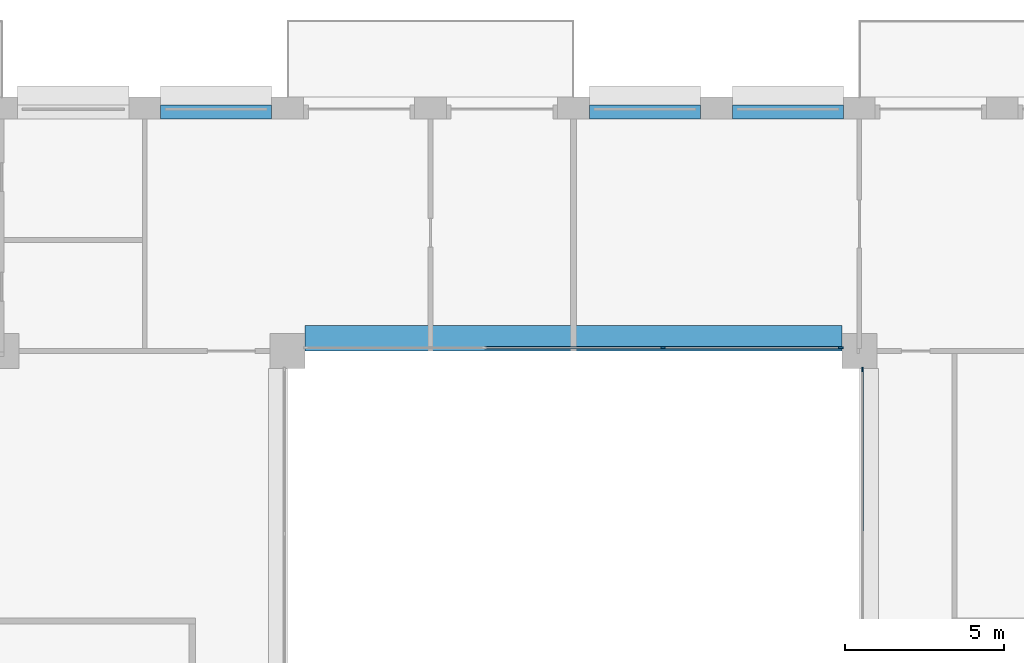
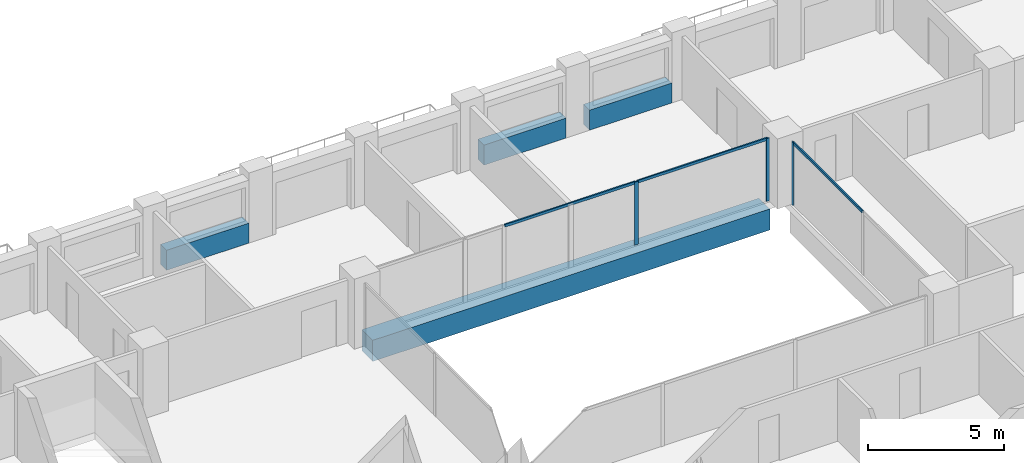
# One storey, part 6 of 15: 6 members, 4 beams, 2 elements without a shape of their own.
"""IFC4 building model written with IfcOpenShell, lengths in metres."""

from ifc_helpers import new_model, si_unit, direction, frame, origin, origin_2d, place, context, subcontext, project, spatial, rectangle, extrude, material, layer, layer_set, material_profile, profile_set, type_object, element, aggregate, save


model = new_model("IFC4")

# Units and contexts
model_context = context("Model", 3, precision=1e-05, world=origin(), true_north=direction((0.0, 1.0)))
body_context = subcontext(model_context, "Body", "Model", "MODEL_VIEW")
ifc_project = project(units=[si_unit("LENGTHUNIT", "METRE"), si_unit("AREAUNIT", "SQUARE_METRE"), si_unit("VOLUMEUNIT", "CUBIC_METRE"), si_unit("PLANEANGLEUNIT", "RADIAN"), si_unit("MASSUNIT", "GRAM", prefix="KILO")], contexts=[model_context])

# Site, building, storey
site_placement = place(None, origin())
site = spatial("IfcSite", under=ifc_project, at=site_placement, CompositionType="ELEMENT")
building_placement = place(site_placement, origin())
building = spatial("IfcBuilding", under=site, at=building_placement, Name="Brigalow Station Residences", CompositionType="ELEMENT")
storey_placement = place(building_placement, frame((0.0, 0.0, 147.60009765625)))
storey = spatial("IfcBuildingStorey", under=building, at=storey_placement, Name="L42", CompositionType="ELEMENT", Elevation=147.60009765625)

# Beam
ifc_material_1 = material(Name="Concrete C65", Category="concrete")
ifc_material_profile_1 = material_profile(ifc_material_1, rectangle(XDim=0.800048828125, YDim=0.949951171875, at=origin_2d()), Name="RC800x950")
ifc_profile_set_1 = profile_set([ifc_material_profile_1], Name="Concrete C65")
beam_type_1 = type_object("IfcBeamType", Name="ATRIUM EDGE GIRDER OVER 13.5 M SPAN 800x950 C65", PredefinedType="BEAM", material=ifc_profile_set_1)
beam_placement = place(storey_placement, frame((27.550048828125, 35.89990234375, -0.795166015625), z_axis=(1.0, 0.0, 0.0), x_axis=(0.0, 1.0, 0.0)))
element("IfcBeam", 1, at=beam_placement, inside=storey, type_object=beam_type_1, Name="ATRIUM EDGE GIRDER D L42", PredefinedType="BEAM", context=body_context, shape_type="SweptSolid", body=[
    extrude(rectangle(XDim=0.800048828125, YDim=0.949951171875, at=origin_2d()), origin(), (0.0, 0.0, 1.0), 16.89990234375),
])

# Curtain wall, member
ifc_material_2 = material(Name="Aluminium", Category="aluminium")
ifc_layer = layer(ifc_material_2, 0.14990234375)
ifc_layer_set = layer_set([ifc_layer], Name="ATRIUM FIRE-RATED GLAZING CURTAIN WALL")
curtain_wall_type = type_object("IfcCurtainWallType", Name="ATRIUM FIRE-RATED GLAZING CURTAIN WALL", PredefinedType="NOTDEFINED", material=ifc_layer_set)
curtain_wall_1_placement = place(storey_placement, origin())
curtain_wall_1 = element("IfcCurtainWall", 2, at=curtain_wall_1_placement, inside=storey, type_object=curtain_wall_type, Name="L42/cw/atrium-E", PredefinedType="NOTDEFINED")
ifc_material_3 = material(Name="Aluminium", Category="aluminium")
ifc_material_profile_2 = material_profile(ifc_material_3, rectangle(XDim=0.06005859375, YDim=0.14990234375, at=origin_2d()), Name="ATRIUM FIRE-RATED GLAZING MULLION 60x150")
ifc_profile_set_2 = profile_set([ifc_material_profile_2], Name="Aluminium")
member_type_1 = type_object("IfcMemberType", Name="ATRIUM FIRE-RATED GLAZING MULLION 60x150", PredefinedType="MULLION", material=ifc_profile_set_2)
member_1_placement = place(storey_placement, frame((45.10009765625, 34.919921875, 0.0), z_axis=(0.0, 0.0, 1.0), x_axis=(-1.0, 0.0, 0.0)))
member_1 = element("IfcMember", 3, at=member_1_placement, type_object=member_type_1, Name="L42/cw/atrium-E/M02", PredefinedType="MULLION", context=body_context, shape_type="SweptSolid", body=[
    extrude(rectangle(XDim=0.06005859375, YDim=0.14990234375, at=origin_2d()), origin(), (0.0, 0.0, 1.0), 2.829833984375),
])

# Curtain wall, members
curtain_wall_2_placement = place(storey_placement, origin())
curtain_wall_2 = element("IfcCurtainWall", 4, at=curtain_wall_2_placement, inside=storey, type_object=curtain_wall_type, Name="L42/cw/atrium-N", PredefinedType="NOTDEFINED")
member_2_placement = place(storey_placement, frame((44.419921875, 35.60009765625, 0.0), z_axis=(0.0, 0.0, 1.0), x_axis=(0.0, -1.0, 0.0)))
member_2 = element("IfcMember", 5, at=member_2_placement, type_object=member_type_1, Name="L42/cw/atrium-N/M00", PredefinedType="MULLION", context=body_context, shape_type="SweptSolid", body=[
    extrude(rectangle(XDim=0.06005859375, YDim=0.14990234375, at=origin_2d()), origin(), (0.0, 0.0, 1.0), 2.829833984375),
])
member_3_placement = place(storey_placement, frame((38.816650390625, 35.60009765625, 0.0), z_axis=(0.0, 0.0, 1.0), x_axis=(0.0, -1.0, 0.0)))
member_3 = element("IfcMember", 6, at=member_3_placement, type_object=member_type_1, Name="L42/cw/atrium-N/M01", PredefinedType="MULLION", context=body_context, shape_type="SweptSolid", body=[
    extrude(rectangle(XDim=0.06005859375, YDim=0.14990234375, at=origin_2d()), origin(), (0.0, 0.0, 1.0), 2.829833984375),
])

# Member
ifc_material_4 = material(Name="Aluminium", Category="aluminium")
ifc_material_profile_3 = material_profile(ifc_material_4, rectangle(XDim=0.06005859375, YDim=0.1201171875, at=origin_2d()), Name="ATRIUM FIRE-RATED GLAZING TRANSOM 60x120")
ifc_profile_set_3 = profile_set([ifc_material_profile_3], Name="Aluminium")
member_type_2 = type_object("IfcMemberType", Name="ATRIUM FIRE-RATED GLAZING TRANSOM 60x120", PredefinedType="USERDEFINED", material=ifc_profile_set_3)
member_4_placement = place(storey_placement, frame((45.10009765625, 29.780029296875, 2.7998046875), z_axis=(0.0, 1.0, 0.0), x_axis=(-1.0, 0.0, 0.0)))
member_4 = element("IfcMember", 7, at=member_4_placement, type_object=member_type_2, Name="L42/cw/atrium-E/T01-00", ObjectType="TRANSOM", PredefinedType="USERDEFINED", context=body_context, shape_type="SweptSolid", body=[
    extrude(rectangle(XDim=0.06005859375, YDim=0.1201171875, at=origin_2d()), origin(), (0.0, 0.0, 1.0), 5.10986328125),
])

aggregate(curtain_wall_1, [member_1, member_4])

member_5_placement = place(storey_placement, frame((44.389892578125, 35.60009765625, 2.7998046875), z_axis=(-1.0, 0.0, 0.0), x_axis=(0.0, -1.0, 0.0)))
member_5 = element("IfcMember", 8, at=member_5_placement, type_object=member_type_2, Name="L42/cw/atrium-N/T00-00", ObjectType="TRANSOM", PredefinedType="USERDEFINED", context=body_context, shape_type="SweptSolid", body=[
    extrude(rectangle(XDim=0.06005859375, YDim=0.1201171875, at=origin_2d()), origin(), (0.0, 0.0, 1.0), 5.543212890625),
])

member_6_placement = place(storey_placement, frame((38.78662109375, 35.60009765625, 2.7998046875), z_axis=(-1.0, 0.0, 0.0), x_axis=(0.0, -1.0, 0.0)))
member_6 = element("IfcMember", 9, at=member_6_placement, type_object=member_type_2, Name="L42/cw/atrium-N/T01-00", ObjectType="TRANSOM", PredefinedType="USERDEFINED", context=body_context, shape_type="SweptSolid", body=[
    extrude(rectangle(XDim=0.06005859375, YDim=0.1201171875, at=origin_2d()), origin(), (0.0, 0.0, 1.0), 5.5732421875),
])

aggregate(curtain_wall_2, [member_2, member_3, member_5, member_6])

# Beams
ifc_material_5 = material(Name="Concrete C50", Category="concrete")
ifc_material_profile_4 = material_profile(ifc_material_5, rectangle(XDim=0.449951171875, YDim=0.89990234375, at=origin_2d()), Name="RC450x900")
ifc_profile_set_4 = profile_set([ifc_material_profile_4], Name="Concrete C50")
beam_type_2 = type_object("IfcBeamType", Name="SPANDREL BEAM 450x900 C50", PredefinedType="SPANDREL", material=ifc_profile_set_4)
for number, where, z_axis, x_axis, name in (
    (10, (44.5, 43.02490234375, 0.449951171875), (-1.0, 0.0, 0.0), (0.0, -1.0, 0.0), "L42/spandrel/W-L42-27"),
    (11, (40.0, 43.02490234375, 0.449951171875), (-1.0, 0.0, 0.0), (0.0, -1.0, 0.0), "L42/spandrel/W-L42-28"),
    (12, (26.5, 43.02490234375, 0.449951171875), (-1.0, 0.0, 0.0), (0.0, -1.0, 0.0), "L42/spandrel/W-L42-31"),
):
    element("IfcBeam", number, at=place(storey_placement, frame(where, z_axis=z_axis, x_axis=x_axis)), inside=storey, type_object=beam_type_2, Name=name, PredefinedType="SPANDREL", context=body_context, shape_type="SweptSolid", body=[
        extrude(rectangle(XDim=0.449951171875, YDim=0.89990234375, at=origin_2d()), origin(), (0.0, 0.0, 1.0), 3.5),
    ])

save(model, "model.ifc")
